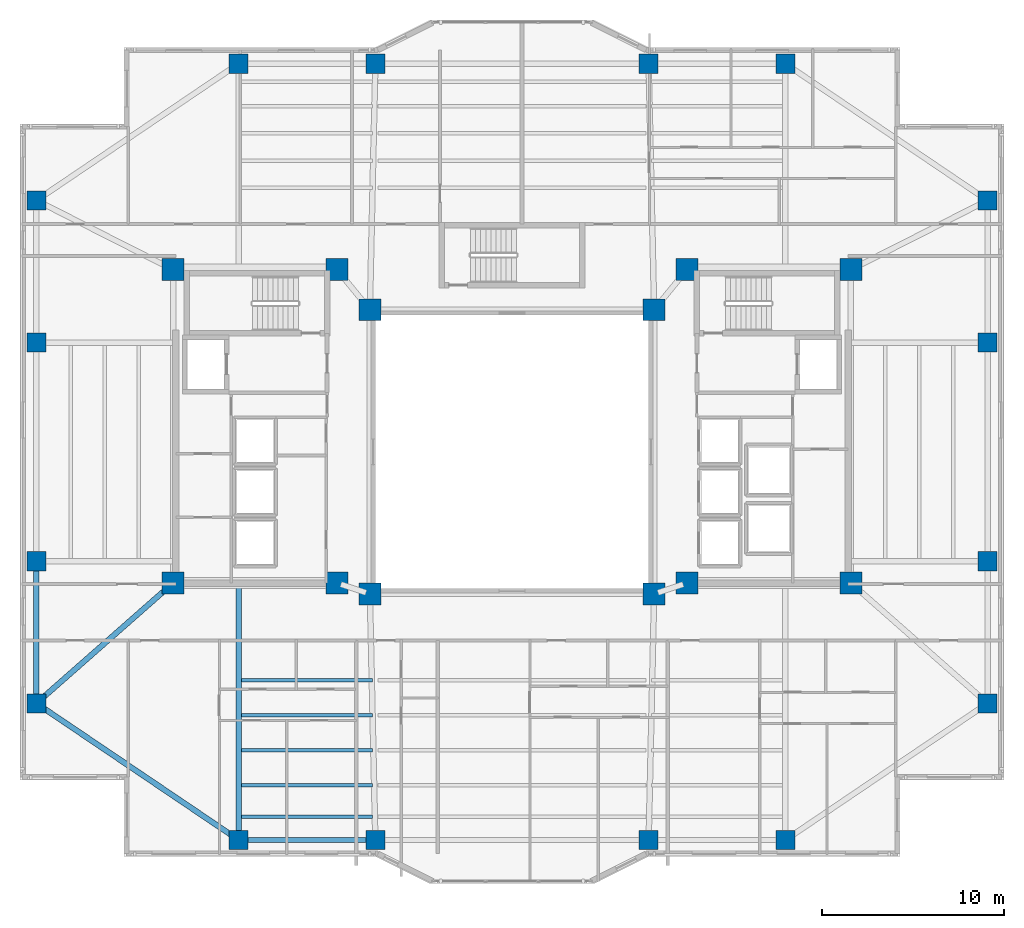
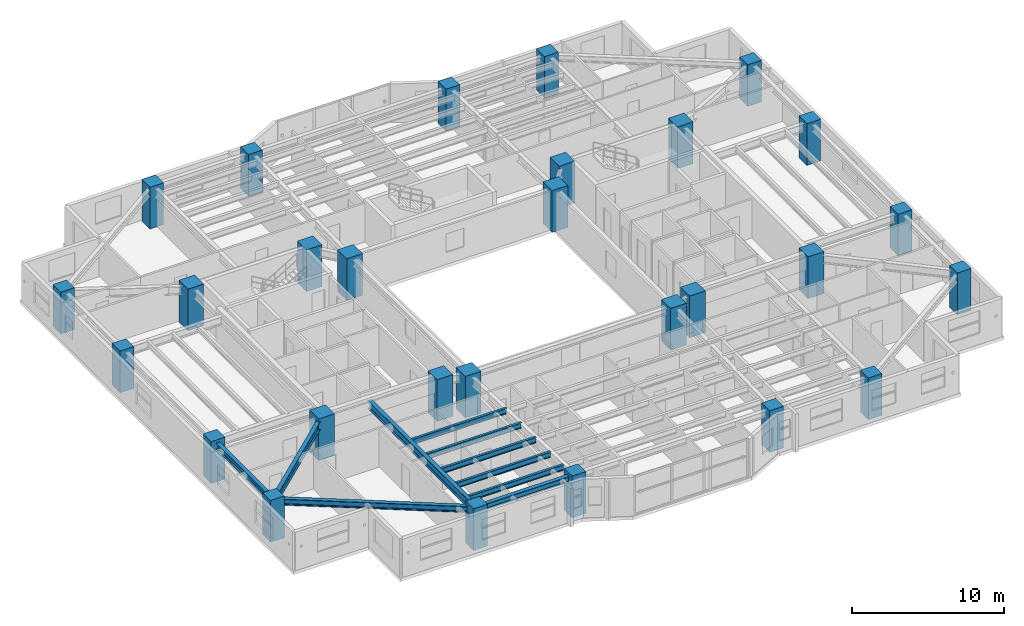
# One storey, part 1 of 18: 28 columns, 10 beams.
"""IFC4 building model written with IfcOpenShell, lengths in metres."""

from ifc_helpers import new_model, si_unit, direction, frame, origin, origin_2d, place, context, subcontext, project, spatial, rectangle, i_section, extrude, material, material_profile, profile_set, type_object, element, save


model = new_model("IFC4")

# Units and contexts
model_context = context("Model", 3, precision=1e-05, world=origin(), true_north=direction((0.0, 1.0)))
body_context = subcontext(model_context, "Body", "Model", "MODEL_VIEW")
ifc_project = project(units=[si_unit("LENGTHUNIT", "METRE"), si_unit("AREAUNIT", "SQUARE_METRE"), si_unit("VOLUMEUNIT", "CUBIC_METRE"), si_unit("PLANEANGLEUNIT", "RADIAN"), si_unit("MASSUNIT", "GRAM", prefix="KILO")], contexts=[model_context])

# Site, building, storey
site_placement = place(None, origin())
site = spatial("IfcSite", under=ifc_project, at=site_placement, CompositionType="ELEMENT")
building_placement = place(site_placement, origin())
building = spatial("IfcBuilding", under=site, at=building_placement, Name="Tarnavaz Court Tower", CompositionType="ELEMENT")
storey_placement = place(building_placement, frame((0.0, 0.0, 88.35009765625)))
storey = spatial("IfcBuildingStorey", under=building, at=storey_placement, Name="L23", CompositionType="ELEMENT", Elevation=88.35009765625)

# Columns
ifc_material_1 = material(Name="Concrete C60/75", Category="concrete")
ifc_material_profile_1 = material_profile(ifc_material_1, rectangle(XDim=1.050048828125, YDim=1.050048828125, at=origin_2d()), Name="RC 1050X1050")
ifc_profile_set_1 = profile_set([ifc_material_profile_1], Name="Concrete C60/75")
column_type_1 = type_object("IfcColumnType", Name="CL-RC1050", PredefinedType="COLUMN", material=ifc_profile_set_1)
for number, where, z_axis, x_axis, name in (
    (1, (-15.0, 21.300048828125, 0.0), (0.0, 0.0, 1.0), (1.0, 0.0, 0.0), "L23 Column PN-1"),
    (2, (-7.5, 21.300048828125, 0.0), (0.0, 0.0, 1.0), (1.0, 0.0, 0.0), "L23 Column PN-2"),
    (3, (7.5, 21.300048828125, 0.0), (0.0, 0.0, 1.0), (1.0, 0.0, 0.0), "L23 Column PN-3"),
    (4, (15.0, 21.300048828125, 0.0), (0.0, 0.0, 1.0), (1.0, 0.0, 0.0), "L23 Column PN-4"),
    (5, (-15.0, -21.300048828125, 0.0), (0.0, 0.0, 1.0), (1.0, 0.0, 0.0), "L23 Column PS-1"),
    (6, (-7.5, -21.300048828125, 0.0), (0.0, 0.0, 1.0), (1.0, 0.0, 0.0), "L23 Column PS-2"),
    (7, (7.5, -21.300048828125, 0.0), (0.0, 0.0, 1.0), (1.0, 0.0, 0.0), "L23 Column PS-3"),
    (8, (15.0, -21.300048828125, 0.0), (0.0, 0.0, 1.0), (1.0, 0.0, 0.0), "L23 Column PS-4"),
    (9, (26.10009765625, -13.800048828125, 0.0), (0.0, 0.0, 1.0), (1.0, 0.0, 0.0), "L23 Column PE-1"),
    (10, (26.10009765625, -6.0, 0.0), (0.0, 0.0, 1.0), (1.0, 0.0, 0.0), "L23 Column PE-2"),
    (11, (26.10009765625, 6.0, 0.0), (0.0, 0.0, 1.0), (1.0, 0.0, 0.0), "L23 Column PE-3"),
    (12, (26.10009765625, 13.800048828125, 0.0), (0.0, 0.0, 1.0), (1.0, 0.0, 0.0), "L23 Column PE-4"),
    (13, (-26.10009765625, -13.800048828125, 0.0), (0.0, 0.0, 1.0), (1.0, 0.0, 0.0), "L23 Column PW-1"),
    (14, (-26.10009765625, -6.0, 0.0), (0.0, 0.0, 1.0), (1.0, 0.0, 0.0), "L23 Column PW-2"),
    (15, (-26.10009765625, 6.0, 0.0), (0.0, 0.0, 1.0), (1.0, 0.0, 0.0), "L23 Column PW-3"),
    (16, (-26.10009765625, 13.800048828125, 0.0), (0.0, 0.0, 1.0), (1.0, 0.0, 0.0), "L23 Column PW-4"),
):
    element("IfcColumn", number, at=place(storey_placement, frame(where, z_axis=z_axis, x_axis=x_axis)), inside=storey, type_object=column_type_1, Name=name, PredefinedType="COLUMN", context=body_context, shape_type="SweptSolid", body=[
        extrude(rectangle(XDim=1.050048828125, YDim=1.050048828125, at=origin_2d()), origin(), (0.0, 0.0, 1.0), 3.349853515625),
    ])
ifc_material_profile_2 = material_profile(ifc_material_1, rectangle(XDim=1.199951171875, YDim=1.199951171875, at=origin_2d()), Name="RC 1200X1200")
ifc_profile_set_2 = profile_set([ifc_material_profile_2], Name="Concrete C60/75")
column_type_2 = type_object("IfcColumnType", Name="CL-RC1200", PredefinedType="COLUMN", material=ifc_profile_set_2)
for number, where, z_axis, x_axis, name in (
    (17, (-7.800048828125, -7.800048828125, 0.0), (0.0, 0.0, 1.0), (1.0, 0.0, 0.0), "L23 Column IW-SW"),
    (18, (7.800048828125, -7.800048828125, 0.0), (0.0, 0.0, 1.0), (1.0, 0.0, 0.0), "L23 Column IW-SE"),
    (19, (-7.800048828125, 7.800048828125, 0.0), (0.0, 0.0, 1.0), (1.0, 0.0, 0.0), "L23 Column IW-NW"),
    (20, (7.800048828125, 7.800048828125, 0.0), (0.0, 0.0, 1.0), (1.0, 0.0, 0.0), "L23 Column IW-NE"),
    (21, (-9.60009765625, -7.199951171875, 0.0), (0.0, 0.0, 1.0), (1.0, 0.0, 0.0), "L23 Column CW-SI"),
    (22, (-9.60009765625, 10.0, 0.0), (0.0, 0.0, 1.0), (1.0, 0.0, 0.0), "L23 Column CW-NI"),
    (23, (9.60009765625, -7.199951171875, 0.0), (0.0, 0.0, 1.0), (1.0, 0.0, 0.0), "L23 Column CE-SI"),
    (24, (9.60009765625, 10.0, 0.0), (0.0, 0.0, 1.0), (1.0, 0.0, 0.0), "L23 Column CE-NI"),
    (25, (-18.60009765625, -7.199951171875, 0.0), (0.0, 0.0, 1.0), (1.0, 0.0, 0.0), "L23 Column CW-SO"),
    (26, (-18.60009765625, 10.0, 0.0), (0.0, 0.0, 1.0), (1.0, 0.0, 0.0), "L23 Column CW-NO"),
    (27, (18.60009765625, -7.199951171875, 0.0), (0.0, 0.0, 1.0), (1.0, 0.0, 0.0), "L23 Column CE-SO"),
    (28, (18.60009765625, 10.0, 0.0), (0.0, 0.0, 1.0), (1.0, 0.0, 0.0), "L23 Column CE-NO"),
):
    element("IfcColumn", number, at=place(storey_placement, frame(where, z_axis=z_axis, x_axis=x_axis)), inside=storey, type_object=column_type_2, Name=name, PredefinedType="COLUMN", context=body_context, shape_type="SweptSolid", body=[
        extrude(rectangle(XDim=1.199951171875, YDim=1.199951171875, at=origin_2d()), origin(), (0.0, 0.0, 1.0), 3.349853515625),
    ])

# Beams
ifc_material_2 = material(Name="Steel S355", Category="steel")
ifc_material_profile_3 = material_profile(ifc_material_2, i_section(OverallWidth=0.300048828125, OverallDepth=0.64990234375, WebThickness=0.01611328125, FlangeThickness=0.031005859375, FilletRadius=0.027099609375, at=origin_2d()), Name="HEB 650")
ifc_profile_set_3 = profile_set([ifc_material_profile_3], Name="Steel S355")
beam_type_1 = type_object("IfcBeamType", Name="BM-G-HEB650", PredefinedType="USERDEFINED", material=ifc_profile_set_3)
beam_1_placement = place(storey_placement, frame((-15.0, -7.239990234375, 2.77490234375), z_axis=(0.0, -1.0, 0.0), x_axis=(1.0, 0.0, 0.0)))
element("IfcBeam", 29, at=beam_1_placement, inside=storey, type_object=beam_type_1, Name="L23 Beam RG-05", ObjectType="GIRDER", PredefinedType="USERDEFINED", context=body_context, shape_type="SweptSolid", body=[
    extrude(i_section(OverallWidth=0.300048828125, OverallDepth=0.64990234375, WebThickness=0.01611328125, FlangeThickness=0.031005859375, FilletRadius=0.027099609375, at=origin_2d()), origin(), (0.0, 0.0, 1.0), 13.840087890625),
])
beam_2_placement = place(storey_placement, frame((-18.76513671875, -7.34521484375, 2.77490234375), z_axis=(-0.750700332035, -0.660642877417, 0.0), x_axis=(0.660642877417, -0.750700332035, 0.0)))
element("IfcBeam", 30, at=beam_2_placement, inside=storey, type_object=beam_type_1, Name="L23 Beam RG-15", ObjectType="GIRDER", PredefinedType="USERDEFINED", context=body_context, shape_type="SweptSolid", body=[
    extrude(i_section(OverallWidth=0.300048828125, OverallDepth=0.64990234375, WebThickness=0.01611328125, FlangeThickness=0.031005859375, FilletRadius=0.027099609375, at=origin_2d()), origin(), (0.0, 0.0, 1.0), 9.550537109375),
])
ifc_material_profile_4 = material_profile(ifc_material_2, i_section(OverallWidth=0.18994140625, OverallDepth=0.449951171875, WebThickness=0.009521484375, FlangeThickness=0.0146484375, FilletRadius=0.02099609375, at=origin_2d()), Name="IPE 450")
ifc_profile_set_4 = profile_set([ifc_material_profile_4], Name="Steel S355")
beam_type_2 = type_object("IfcBeamType", Name="BM-J-IPE450", PredefinedType="JOIST", material=ifc_profile_set_4)
for number, where, z_axis, x_axis, name in (
    (31, (-14.85009765625, -12.52587890625, 2.875), (1.0, 0.0, 0.0), (0.0, 1.0, 0.0), "L23 Beam JS1-1"),
    (32, (-14.85009765625, -14.451904296875, 2.875), (1.0, 0.0, 0.0), (0.0, 1.0, 0.0), "L23 Beam JS2-1"),
    (33, (-14.85009765625, -16.3779296875, 2.875), (1.0, 0.0, 0.0), (0.0, 1.0, 0.0), "L23 Beam JS3-1"),
    (34, (-14.85009765625, -18.303955078125, 2.875), (1.0, 0.0, 0.0), (0.0, 1.0, 0.0), "L23 Beam JS4-1"),
    (35, (-14.85009765625, -20.01611328125, 2.875), (1.0, 0.0, 0.0), (0.0, 1.0, 0.0), "L23 Beam JS5-1"),
):
    element("IfcBeam", number, at=place(storey_placement, frame(where, z_axis=z_axis, x_axis=x_axis)), inside=storey, type_object=beam_type_2, Name=name, PredefinedType="JOIST", context=body_context, shape_type="SweptSolid", body=[
        extrude(i_section(OverallWidth=0.18994140625, OverallDepth=0.449951171875, WebThickness=0.009521484375, FlangeThickness=0.0146484375, FilletRadius=0.02099609375, at=origin_2d()), origin(), (0.0, 0.0, 1.0), 7.2001953125),
    ])
ifc_material_profile_5 = material_profile(ifc_material_2, i_section(OverallWidth=0.300048828125, OverallDepth=0.489990234375, WebThickness=0.011962890625, FlangeThickness=0.02294921875, FilletRadius=0.027099609375, at=origin_2d()), Name="HEA 500")
ifc_profile_set_5 = profile_set([ifc_material_profile_5], Name="Steel S355")
beam_type_3 = type_object("IfcBeamType", Name="BM-SP-HEA500", PredefinedType="SPANDREL", material=ifc_profile_set_5)
beam_3_placement = place(storey_placement, frame((-14.780029296875, -21.300048828125, 2.85498046875), z_axis=(1.0, 0.0, 0.0), x_axis=(0.0, 1.0, 0.0)))
element("IfcBeam", 36, at=beam_3_placement, inside=storey, type_object=beam_type_3, Name="L23 Beam PR-PS-1-PS-2", PredefinedType="SPANDREL", context=body_context, shape_type="SweptSolid", body=[
    extrude(i_section(OverallWidth=0.300048828125, OverallDepth=0.489990234375, WebThickness=0.011962890625, FlangeThickness=0.02294921875, FilletRadius=0.027099609375, at=origin_2d()), origin(), (0.0, 0.0, 1.0), 7.06005859375),
])
beam_4_placement = place(storey_placement, frame((-26.10009765625, -13.580078125, 2.85498046875), z_axis=(0.0, 1.0, 0.0), x_axis=(-1.0, 0.0, 0.0)))
element("IfcBeam", 37, at=beam_4_placement, inside=storey, type_object=beam_type_3, Name="L23 Beam PR-PW-1-PW-2", PredefinedType="SPANDREL", context=body_context, shape_type="SweptSolid", body=[
    extrude(i_section(OverallWidth=0.300048828125, OverallDepth=0.489990234375, WebThickness=0.011962890625, FlangeThickness=0.02294921875, FilletRadius=0.027099609375, at=origin_2d()), origin(), (0.0, 0.0, 1.0), 7.360107421875),
])
beam_5_placement = place(storey_placement, frame((-15.182373046875, -21.1767578125, 2.85498046875), z_axis=(-0.828587314918, 0.559859858854, 0.0), x_axis=(-0.559859858854, -0.828587314918, 0.0)))
element("IfcBeam", 38, at=beam_5_placement, inside=storey, type_object=beam_type_3, Name="L23 Beam PR-PS-1-PW-1", PredefinedType="SPANDREL", context=body_context, shape_type="SweptSolid", body=[
    extrude(i_section(OverallWidth=0.300048828125, OverallDepth=0.489990234375, WebThickness=0.011962890625, FlangeThickness=0.02294921875, FilletRadius=0.027099609375, at=origin_2d()), origin(), (0.0, 0.0, 1.0), 12.956298828125),
])

save(model, "model.ifc")
